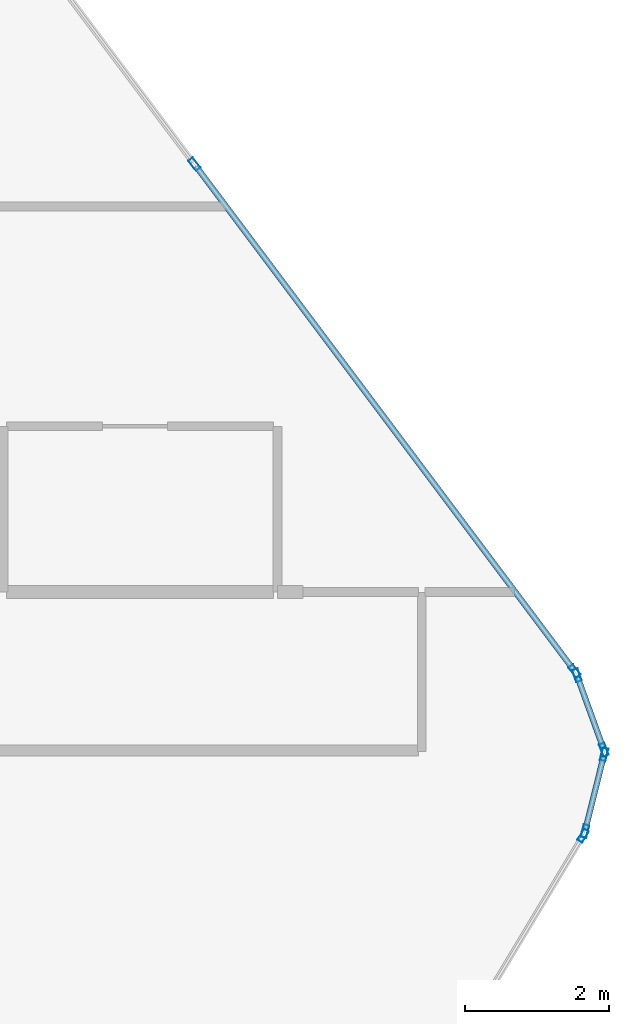
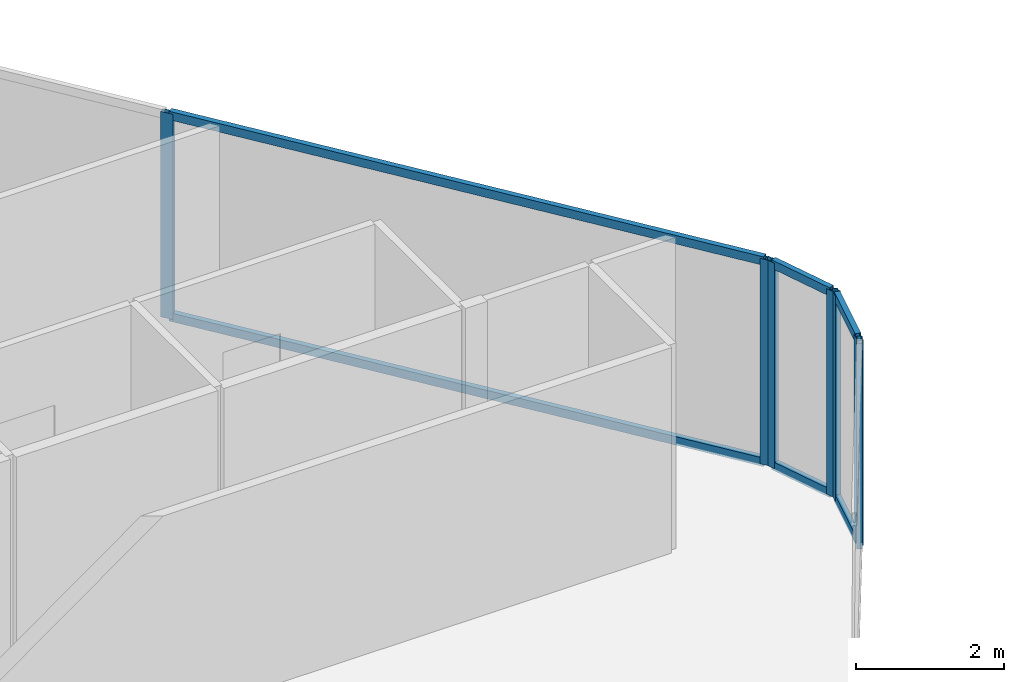
# One storey, part 18 of 30: 13 members, 4 elements without a shape of their own.
"""IFC4 building model written with IfcOpenShell, lengths in metres."""

import ifcopenshell
import ifcopenshell.guid

model = None  # the IFC model being written
_history = None  # IfcOwnerHistory: only IFC2X3 demands one
_inside = {}  # id of a spatial element -> (the spatial element, [elements in it])
_under = {}  # id of a project, library or spatial element -> (it, [spatial elements below it])
_declared = {}  # id of a project -> (the project, [libraries it declares])
_typed = {}  # id of a type object -> (the type object, [elements of that type])
_made_of = {}  # id of a material, layer set ... -> (it, [elements and type objects made of it])


def new_model(schema):
    """Start an empty IFC model of exactly this schema.

    Asked for "IFC4X3", IfcOpenShell would pick the latest addendum, in which some entities
    have other attributes; the version numbers below select the first issue.
    IFC2X3 requires an IfcOwnerHistory on every rooted entity: one is made here for all.
    """
    global model, _history
    if schema == "IFC4X3":
        model = ifcopenshell.file(schema_version=(4, 3, 0, 0))
    else:
        model = ifcopenshell.file(schema=schema)
    _inside.clear()
    _under.clear()
    _declared.clear()
    _typed.clear()
    _made_of.clear()
    _history = None
    if model.schema == "IFC2X3":
        org = make("IfcOrganization", Name="unknown")
        user = make(
            "IfcPersonAndOrganization",
            ThePerson=make("IfcPerson", FamilyName="unknown"),
            TheOrganization=org,
        )
        app = make(
            "IfcApplication",
            ApplicationDeveloper=org,
            Version="unknown",
            ApplicationFullName="unknown",
            ApplicationIdentifier="unknown",
        )
        _history = make(
            "IfcOwnerHistory",
            OwningUser=user,
            OwningApplication=app,
            ChangeAction="ADDED",
            CreationDate=0,
        )
    return model


def make(cls, **values):
    """One entity of the class cls with the attributes given. An attribute that is None is left unset."""
    return model.create_entity(
        cls, **{name: value for name, value in values.items() if value is not None}
    )


def rooted(cls, **values):
    """An entity with a GlobalId (a new one), such as an element, a storey or a relation."""
    return make(cls, GlobalId=ifcopenshell.guid.new(), OwnerHistory=_history, **values)


def si_unit(unit_type, name, prefix=None):
    """IfcSIUnit, for example si_unit("LENGTHUNIT", "METRE", prefix="MILLI")."""
    return make("IfcSIUnit", UnitType=unit_type, Prefix=prefix, Name=name)


def assignment(units):
    """IfcUnitAssignment: the units of a project."""
    return None if units is None else make("IfcUnitAssignment", Units=units)


def point(xyz):
    """IfcCartesianPoint."""
    return None if xyz is None else make("IfcCartesianPoint", Coordinates=xyz)


def direction(xyz):
    """IfcDirection."""
    return None if xyz is None else make("IfcDirection", DirectionRatios=xyz)


def frame(location, z_axis=None, x_axis=None):
    """IfcAxis2Placement3D, a coordinate frame: its origin and axes. An axis left out is left unset."""
    return make(
        "IfcAxis2Placement3D",
        Location=point(location),
        Axis=direction(z_axis),
        RefDirection=direction(x_axis),
    )


def frame_2d(location, x_axis=None):
    """IfcAxis2Placement2D, a coordinate frame in the plane: its origin and x axis."""
    return make(
        "IfcAxis2Placement2D", Location=point(location), RefDirection=direction(x_axis)
    )


def origin():
    """The frame at (0, 0, 0) with its axes left unset."""
    return frame((0.0, 0.0, 0.0))


def origin_2d():
    """The frame at (0, 0) in the plane with its x axis left unset."""
    return frame_2d((0.0, 0.0))


def place(relative_to, where):
    """IfcLocalPlacement: puts the frame where relative to a parent placement (None: the world)."""
    return make(
        "IfcLocalPlacement", PlacementRelTo=relative_to, RelativePlacement=where
    )


def context(
    kind, dimensions, precision=None, world=None, true_north=None, identifier=None
):
    """IfcGeometricRepresentationContext, for example the 3D "Model" context."""
    return make(
        "IfcGeometricRepresentationContext",
        ContextIdentifier=identifier,
        ContextType=kind,
        CoordinateSpaceDimension=dimensions,
        Precision=precision,
        WorldCoordinateSystem=world,
        TrueNorth=true_north,
    )


def subcontext(parent, identifier, kind, view, scale=None):
    """IfcGeometricRepresentationSubContext, for example "Body" below "Model"."""
    return make(
        "IfcGeometricRepresentationSubContext",
        ContextIdentifier=identifier,
        ContextType=kind,
        ParentContext=parent,
        TargetScale=scale,
        TargetView=view,
    )


def project(units=None, contexts=None):
    """IfcProject with its units and contexts."""
    return rooted(
        "IfcProject",
        Name="project",
        RepresentationContexts=contexts,
        UnitsInContext=assignment(units),
    )


def spatial(cls, under=None, at=None, **own):
    """A site, building, storey or space (cls), placed at a placement, below another one or the project."""
    s = rooted(cls, ObjectPlacement=at, **own)
    if under is not None:
        _under.setdefault(under.id(), (under, []))[1].append(s)
    return s


def profile(cls, at=None, kind="AREA", **sizes):
    """A parametric profile (cls). Its sizes go by their IFC names, for example OverallWidth=200.0."""
    return make(cls, ProfileType=kind, Position=at, **sizes)


def hollow_rectangle(**sizes):
    """IfcRectangleHollowProfileDef."""
    return profile("IfcRectangleHollowProfileDef", **sizes)


def extrude(swept, where, along, depth):
    """IfcExtrudedAreaSolid: the profile swept, set in the frame where, extruded along a direction by depth."""
    return make(
        "IfcExtrudedAreaSolid",
        SweptArea=swept,
        Position=where,
        ExtrudedDirection=direction(along),
        Depth=depth,
    )


def shape(context_of_items, identifier, shape_type, items):
    """IfcShapeRepresentation: the items that make up one representation, for example the "Body"."""
    return make(
        "IfcShapeRepresentation",
        ContextOfItems=context_of_items,
        RepresentationIdentifier=identifier,
        RepresentationType=shape_type,
        Items=items,
    )


def material(Name=None, Category=None):
    """IfcMaterial."""
    return make("IfcMaterial", Name=Name, Category=Category)


def layer(
    of_material, thickness, ventilated=None, Name=None, Category=None, Priority=None
):
    """IfcMaterialLayer: one layer of a wall or slab, of a material (None: an air gap)."""
    return make(
        "IfcMaterialLayer",
        Material=of_material,
        LayerThickness=thickness,
        IsVentilated=ventilated,
        Name=Name,
        Category=Category,
        Priority=Priority,
    )


def layer_set(layers, Name=None):
    """IfcMaterialLayerSet."""
    return make("IfcMaterialLayerSet", MaterialLayers=layers, LayerSetName=Name)


def material_profile(
    of_material, cross_section, Name=None, Category=None, Priority=None
):
    """IfcMaterialProfile: a cross section and its material."""
    return make(
        "IfcMaterialProfile",
        Name=Name,
        Material=of_material,
        Profile=cross_section,
        Priority=Priority,
        Category=Category,
    )


def profile_set(profiles, Name=None, composite=None):
    """IfcMaterialProfileSet."""
    return make(
        "IfcMaterialProfileSet",
        Name=Name,
        MaterialProfiles=profiles,
        CompositeProfile=composite,
    )


def made_of(thing, what):
    """Note that an element or type object is made of a material, layer set ...; save() writes the relation."""
    if what is not None:
        _made_of.setdefault(what.id(), (what, []))[1].append(thing)
    return thing


def type_object(cls, material=None, **own):
    """A type object (cls), such as IfcWallType, which elements share."""
    return made_of(rooted(cls, **own), material)


def element(
    cls,
    number,
    at=None,
    inside=None,
    cuts=None,
    type_object=None,
    material=None,
    context=None,
    identifier="Body",
    shape_type=None,
    held_by="IfcProductDefinitionShape",
    body=None,
    shapes=None,
    **own,
):
    """One element of the class cls, such as IfcWall. Its Tag is "e" and its number.

    at: its placement. inside: the storey or other place that contains it. cuts: it is an
    opening in that element (IfcRelVoidsElement). A single representation is given by context,
    identifier, shape_type and body (its items); several are given by shapes. held_by: the class
    of the entity that holds the representations. save() writes the other relations.
    """
    e = rooted(cls, Tag="e%d" % number, ObjectPlacement=at, **own)
    if body is not None:
        shapes = [shape(context, identifier, shape_type, body)]
    if shapes is not None:
        e.Representation = make(held_by, Representations=shapes)
    if inside is not None:
        _inside.setdefault(inside.id(), (inside, []))[1].append(e)
    if cuts is not None:
        rooted(
            "IfcRelVoidsElement", RelatingBuildingElement=cuts, RelatedOpeningElement=e
        )
    if type_object is not None:
        _typed.setdefault(type_object.id(), (type_object, []))[1].append(e)
    return made_of(e, material)


def aggregate(whole, parts):
    """IfcRelAggregates: a whole, such as a stair, and the parts it consists of."""
    return rooted("IfcRelAggregates", RelatingObject=whole, RelatedObjects=parts)


def save(model, path):
    """Write the relations noted so far, then the file.

    IfcRelAggregates (storeys below a building ...), IfcRelContainedInSpatialStructure (elements
    in a storey), IfcRelDefinesByType, IfcRelAssociatesMaterial and IfcRelDeclares: one each for
    every whole, place, type object, material and project.
    """
    for whole, parts in _under.values():
        aggregate(whole, parts)
    for where, things in _inside.values():
        rooted(
            "IfcRelContainedInSpatialStructure",
            RelatedElements=things,
            RelatingStructure=where,
        )
    for kind, things in _typed.values():
        rooted("IfcRelDefinesByType", RelatedObjects=things, RelatingType=kind)
    for what, things in _made_of.values():
        rooted("IfcRelAssociatesMaterial", RelatedObjects=things, RelatingMaterial=what)
    for by, libraries in _declared.values():
        rooted("IfcRelDeclares", RelatingContext=by, RelatedDefinitions=libraries)
    model.write(path)


model = new_model("IFC4")

# Units and contexts
model_context = context("Model", 3, precision=1e-05, world=origin(), true_north=direction((0.0, 1.0)))
body_context = subcontext(model_context, "Body", "Model", "MODEL_VIEW")
ifc_project = project(units=[si_unit("LENGTHUNIT", "METRE"), si_unit("AREAUNIT", "SQUARE_METRE"), si_unit("VOLUMEUNIT", "CUBIC_METRE"), si_unit("PLANEANGLEUNIT", "RADIAN"), si_unit("MASSUNIT", "GRAM", prefix="KILO")], contexts=[model_context])

# Site, building, storey
site_placement = place(None, origin())
site = spatial("IfcSite", under=ifc_project, at=site_placement, CompositionType="ELEMENT")
building_placement = place(site_placement, origin())
building = spatial("IfcBuilding", under=site, at=building_placement, Name="Keshet Zoharim Tower", CompositionType="ELEMENT")
storey_placement = place(building_placement, frame((0.0, 0.0, 90.89990234375)))
storey = spatial("IfcBuildingStorey", under=building, at=storey_placement, Name="L21", CompositionType="ELEMENT", Elevation=90.89990234375)

# Curtain wall, members
ifc_material = material(Name="Aluminium 6063-T6", Category="aluminium")
ifc_layer = layer(ifc_material, 0.159912109375)
ifc_layer_set = layer_set([ifc_layer], Name="Aluminium 6063-T6")
curtain_wall_type = type_object("IfcCurtainWallType", Name="CW-SYS-03", PredefinedType="NOTDEFINED", material=ifc_layer_set)
curtain_wall_1_placement = place(storey_placement, origin())
curtain_wall_1 = element("IfcCurtainWall", 1, at=curtain_wall_1_placement, inside=storey, type_object=curtain_wall_type, Name="L21 Unitised Curtain Wall 15", PredefinedType="NOTDEFINED")
ifc_material_profile_1 = material_profile(ifc_material, hollow_rectangle(XDim=0.080078125, YDim=0.179931640625, WallThickness=0.00439453125, at=origin_2d()), Name="MUL-80x180")
ifc_profile_set_1 = profile_set([ifc_material_profile_1], Name="Aluminium 6063-T6")
member_type_1 = type_object("IfcMemberType", Name="CWM-M18", PredefinedType="MULLION", material=ifc_profile_set_1)
member_1_placement = place(storey_placement, frame((56.896484375, 46.0380859375, 0.0), z_axis=(0.0, 0.0, 1.0), x_axis=(0.799999999998, 0.600000000002, 0.0)))
member_1 = element("IfcMember", 2, at=member_1_placement, type_object=member_type_1, Name="CW-03 mullion 2", PredefinedType="MULLION", context=body_context, shape_type="SweptSolid", body=[
    extrude(hollow_rectangle(XDim=0.080078125, YDim=0.179931640625, WallThickness=0.00439453125, at=origin_2d()), origin(), (0.0, 0.0, 1.0), 3.385009765625),
])
member_2_placement = place(storey_placement, frame((62.172119140625, 39.00390625, 0.0), z_axis=(0.0, 0.0, 1.0), x_axis=(0.799999999998, 0.600000000002, 0.0)))
member_2 = element("IfcMember", 3, at=member_2_placement, type_object=member_type_1, Name="CW-03 mullion 3", PredefinedType="MULLION", context=body_context, shape_type="SweptSolid", body=[
    extrude(hollow_rectangle(XDim=0.080078125, YDim=0.179931640625, WallThickness=0.00439453125, at=origin_2d()), origin(), (0.0, 0.0, 1.0), 3.385009765625),
])

curtain_wall_2_placement = place(storey_placement, origin())
curtain_wall_2 = element("IfcCurtainWall", 4, at=curtain_wall_2_placement, inside=storey, type_object=curtain_wall_type, Name="L21 Unitised Curtain Wall 16", PredefinedType="NOTDEFINED")
member_3_placement = place(storey_placement, frame((62.204833984375, 38.943115234375, 0.0), z_axis=(0.0, 0.0, 1.0), x_axis=(0.940317877544, 0.340297354046, 0.0)))
member_3 = element("IfcMember", 5, at=member_3_placement, type_object=member_type_1, Name="CW-03 mullion 1", PredefinedType="MULLION", context=body_context, shape_type="SweptSolid", body=[
    extrude(hollow_rectangle(XDim=0.080078125, YDim=0.179931640625, WallThickness=0.00439453125, at=origin_2d()), origin(), (0.0, 0.0, 1.0), 3.385009765625),
])
member_4_placement = place(storey_placement, frame((62.578125, 37.911865234375, 0.0), z_axis=(0.0, 0.0, 1.0), x_axis=(0.940317877544, 0.340297354046, 0.0)))
member_4 = element("IfcMember", 6, at=member_4_placement, type_object=member_type_1, Name="CW-03 mullion 2", PredefinedType="MULLION", context=body_context, shape_type="SweptSolid", body=[
    extrude(hollow_rectangle(XDim=0.080078125, YDim=0.179931640625, WallThickness=0.00439453125, at=origin_2d()), origin(), (0.0, 0.0, 1.0), 3.385009765625),
])

curtain_wall_3_placement = place(storey_placement, origin())
curtain_wall_3 = element("IfcCurtainWall", 7, at=curtain_wall_3_placement, inside=storey, type_object=curtain_wall_type, Name="L21 Unitised Curtain Wall 17", PredefinedType="NOTDEFINED")
member_5_placement = place(storey_placement, frame((62.58154296875, 37.844970703125, 0.0), z_axis=(0.0, 0.0, 1.0), x_axis=(0.970343857447, -0.241728770141, 0.0)))
member_5 = element("IfcMember", 8, at=member_5_placement, type_object=member_type_1, Name="CW-03 mullion 1", PredefinedType="MULLION", context=body_context, shape_type="SweptSolid", body=[
    extrude(hollow_rectangle(XDim=0.080078125, YDim=0.179931640625, WallThickness=0.00439453125, at=origin_2d()), origin(), (0.0, 0.0, 1.0), 3.385009765625),
])
member_6_placement = place(storey_placement, frame((62.31640625, 36.781005859375, 0.0), z_axis=(0.0, 0.0, 1.0), x_axis=(0.970343857447, -0.241728770141, 0.0)))
member_6 = element("IfcMember", 9, at=member_6_placement, type_object=member_type_1, Name="CW-03 mullion 2", PredefinedType="MULLION", context=body_context, shape_type="SweptSolid", body=[
    extrude(hollow_rectangle(XDim=0.080078125, YDim=0.179931640625, WallThickness=0.00439453125, at=origin_2d()), origin(), (0.0, 0.0, 1.0), 3.385009765625),
])

# Curtain wall, member
curtain_wall_4_placement = place(storey_placement, origin())
curtain_wall_4 = element("IfcCurtainWall", 10, at=curtain_wall_4_placement, inside=storey, type_object=curtain_wall_type, Name="L21 Unitised Curtain Wall 18", PredefinedType="NOTDEFINED")
member_7_placement = place(storey_placement, frame((62.2900390625, 36.717041015625, 0.0), z_axis=(0.0, 0.0, 1.0), x_axis=(0.857501477862, -0.514481501576, 0.0)))
member_7 = element("IfcMember", 11, at=member_7_placement, type_object=member_type_1, Name="CW-03 mullion 1", PredefinedType="MULLION", context=body_context, shape_type="SweptSolid", body=[
    extrude(hollow_rectangle(XDim=0.080078125, YDim=0.179931640625, WallThickness=0.00439453125, at=origin_2d()), origin(), (0.0, 0.0, 1.0), 3.385009765625),
])
aggregate(curtain_wall_4, [member_7])

# Member
ifc_material_profile_2 = material_profile(ifc_material, hollow_rectangle(XDim=0.080078125, YDim=0.139892578125, WallThickness=0.00390625, at=origin_2d()), Name="TRN-80x140")
ifc_profile_set_2 = profile_set([ifc_material_profile_2], Name="Aluminium 6063-T6")
member_type_2 = type_object("IfcMemberType", Name="CWT-T14", PredefinedType="USERDEFINED", material=ifc_profile_set_2)
member_8_placement = place(storey_placement, frame((56.91748046875, 46.010009765625, 0.03515625), z_axis=(0.599991043201, -0.800006717521, 0.0), x_axis=(0.800006717521, 0.599991043201, 0.0)))
member_8 = element("IfcMember", 12, at=member_8_placement, type_object=member_type_2, Name="CW-03 transom 2.1", ObjectType="TRANSOM", PredefinedType="USERDEFINED", context=body_context, shape_type="SweptSolid", body=[
    extrude(hollow_rectangle(XDim=0.080078125, YDim=0.139892578125, WallThickness=0.00390625, at=origin_2d()), origin(), (0.0, 0.0, 1.0), 8.722412109375),
])

member_9_placement = place(storey_placement, frame((56.91748046875, 46.010009765625, 3.35009765625), z_axis=(0.599991043201, -0.800006717521, 0.0), x_axis=(0.800006717521, 0.599991043201, 0.0)))
member_9 = element("IfcMember", 13, at=member_9_placement, type_object=member_type_2, Name="CW-03 transom 2.2", ObjectType="TRANSOM", PredefinedType="USERDEFINED", context=body_context, shape_type="SweptSolid", body=[
    extrude(hollow_rectangle(XDim=0.080078125, YDim=0.139892578125, WallThickness=0.00390625, at=origin_2d()), origin(), (0.0, 0.0, 1.0), 8.722412109375),
])

aggregate(curtain_wall_1, [member_1, member_2, member_8, member_9])

member_10_placement = place(storey_placement, frame((62.216796875, 38.91015625, 0.03515625), z_axis=(0.340310579984, -0.940313091024, 0.0), x_axis=(0.940313091024, 0.340310579984, 0.0)))
member_10 = element("IfcMember", 14, at=member_10_placement, type_object=member_type_2, Name="CW-03 transom 1.1", ObjectType="TRANSOM", PredefinedType="USERDEFINED", context=body_context, shape_type="SweptSolid", body=[
    extrude(hollow_rectangle(XDim=0.080078125, YDim=0.139892578125, WallThickness=0.00390625, at=origin_2d()), origin(), (0.0, 0.0, 1.0), 1.026611328125),
])

member_11_placement = place(storey_placement, frame((62.216796875, 38.91015625, 3.35009765625), z_axis=(0.340310579984, -0.940313091024, 0.0), x_axis=(0.940313091024, 0.340310579984, 0.0)))
member_11 = element("IfcMember", 15, at=member_11_placement, type_object=member_type_2, Name="CW-03 transom 1.2", ObjectType="TRANSOM", PredefinedType="USERDEFINED", context=body_context, shape_type="SweptSolid", body=[
    extrude(hollow_rectangle(XDim=0.080078125, YDim=0.139892578125, WallThickness=0.00390625, at=origin_2d()), origin(), (0.0, 0.0, 1.0), 1.026611328125),
])

aggregate(curtain_wall_2, [member_3, member_4, member_10, member_11])

member_12_placement = place(storey_placement, frame((62.572998046875, 37.81103515625, 0.03515625), z_axis=(-0.241640143717, -0.970365931463, 0.0), x_axis=(0.970365931463, -0.241640143717, 0.0)))
member_12 = element("IfcMember", 16, at=member_12_placement, type_object=member_type_2, Name="CW-03 transom 1.1", ObjectType="TRANSOM", PredefinedType="USERDEFINED", context=body_context, shape_type="SweptSolid", body=[
    extrude(hollow_rectangle(XDim=0.080078125, YDim=0.139892578125, WallThickness=0.00390625, at=origin_2d()), origin(), (0.0, 0.0, 1.0), 1.026611328125),
])

member_13_placement = place(storey_placement, frame((62.572998046875, 37.81103515625, 3.35009765625), z_axis=(-0.241640143717, -0.970365931463, 0.0), x_axis=(0.970365931463, -0.241640143717, 0.0)))
member_13 = element("IfcMember", 17, at=member_13_placement, type_object=member_type_2, Name="CW-03 transom 1.2", ObjectType="TRANSOM", PredefinedType="USERDEFINED", context=body_context, shape_type="SweptSolid", body=[
    extrude(hollow_rectangle(XDim=0.080078125, YDim=0.139892578125, WallThickness=0.00390625, at=origin_2d()), origin(), (0.0, 0.0, 1.0), 1.026611328125),
])

aggregate(curtain_wall_3, [member_5, member_6, member_12, member_13])

save(model, "model.ifc")
